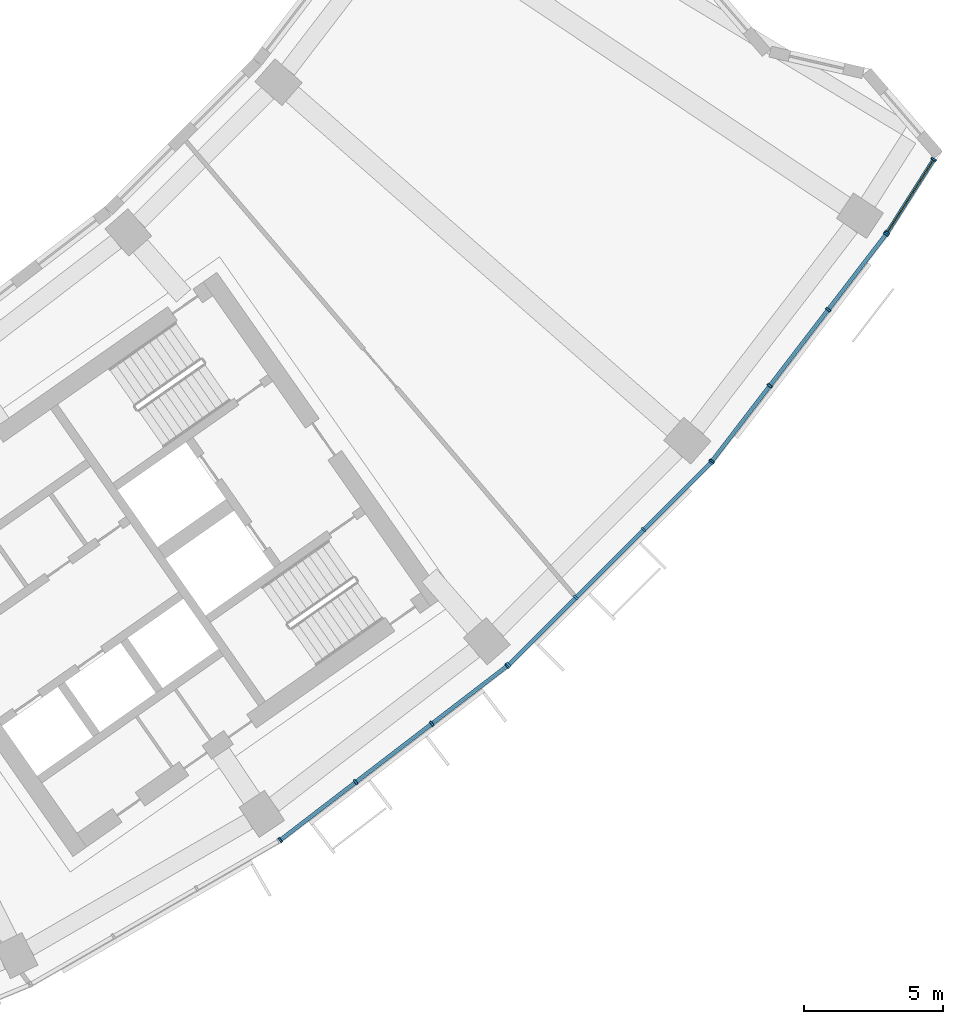
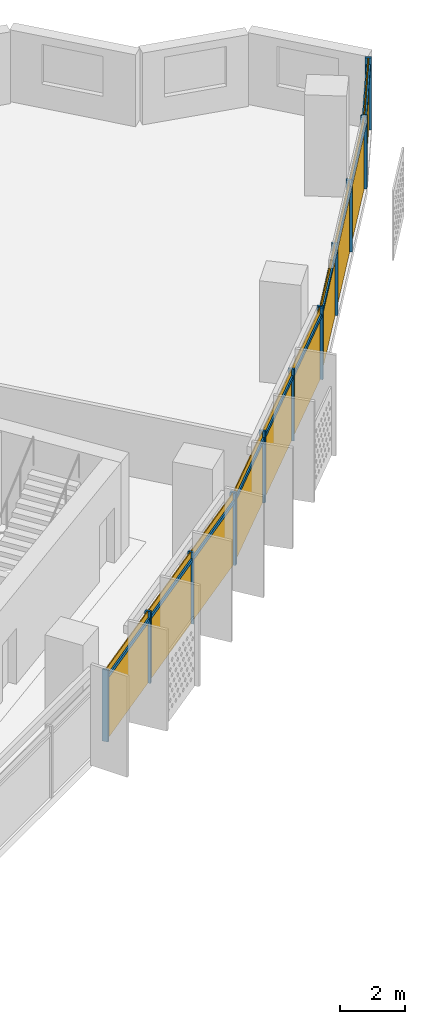
# One storey, part 20 of 27: 24 members, 4 curtain walls.
"""IFC4 building model written with IfcOpenShell, lengths in metres."""

from ifc_helpers import new_model, si_unit, direction, frame, origin, origin_2d, place, context, subcontext, project, spatial, rectangle, extrude, material, material_profile, profile_set, type_object, element, aggregate, save


model = new_model("IFC4")

# Units and contexts
model_context = context("Model", 3, precision=1e-05, world=origin(), true_north=direction((0.0, 1.0)))
body_context = subcontext(model_context, "Body", "Model", "MODEL_VIEW")
ifc_project = project(units=[si_unit("LENGTHUNIT", "METRE"), si_unit("AREAUNIT", "SQUARE_METRE"), si_unit("VOLUMEUNIT", "CUBIC_METRE"), si_unit("PLANEANGLEUNIT", "RADIAN"), si_unit("MASSUNIT", "GRAM", prefix="KILO")], contexts=[model_context])

# Member
ifc_material = material(Name="Aluminium 6063-T6 anodised", Category="aluminium")
ifc_material_profile_1 = material_profile(ifc_material, rectangle(XDim=0.199951171875, YDim=0.070068359375, at=origin_2d()))
ifc_profile_set_1 = profile_set([ifc_material_profile_1], Name="Aluminium 6063-T6 anodised")
member_type_1 = type_object("IfcMemberType", Name="Mullion 70 x 200 aluminium", PredefinedType="MULLION", material=ifc_profile_set_1)
site_placement = place(None, origin())
building_placement = place(site_placement, origin())
storey_placement = place(building_placement, frame((0.0, 0.0, 191.10009765625)))
member_1_placement = place(storey_placement, frame((43.85693359375, -65.58544921875, 0.0), z_axis=(0.0, 0.0, 1.0), x_axis=(-0.608761429009, 0.793353340291, 0.0)))
member_1 = element("IfcMember", 1, at=member_1_placement, type_object=member_type_1, Name="e-cw1-L45-out12/M00", PredefinedType="MULLION", context=body_context, shape_type="SweptSolid", body=[
    extrude(rectangle(XDim=0.199951171875, YDim=0.070068359375, at=origin_2d()), origin(), (0.0, 0.0, 1.0), 2.699951171875),
])

member_2_placement = place(storey_placement, frame((46.56201171875, -63.509765625, 0.0), z_axis=(0.0, 0.0, 1.0), x_axis=(-0.608761429009, 0.793353340291, 0.0)))
member_2 = element("IfcMember", 2, at=member_2_placement, type_object=member_type_1, Name="e-cw1-L45-out12/M01", PredefinedType="MULLION", context=body_context, shape_type="SweptSolid", body=[
    extrude(rectangle(XDim=0.199951171875, YDim=0.070068359375, at=origin_2d()), origin(), (0.0, 0.0, 1.0), 2.699951171875),
])

member_3_placement = place(storey_placement, frame((49.294677734375, -61.412841796875, 0.0), z_axis=(0.0, 0.0, 1.0), x_axis=(-0.608761429009, 0.793353340291, 0.0)))
member_3 = element("IfcMember", 3, at=member_3_placement, type_object=member_type_1, Name="e-cw1-L45-out12/M02", PredefinedType="MULLION", context=body_context, shape_type="SweptSolid", body=[
    extrude(rectangle(XDim=0.199951171875, YDim=0.070068359375, at=origin_2d()), origin(), (0.0, 0.0, 1.0), 2.699951171875),
])

member_4_placement = place(storey_placement, frame((51.999755859375, -59.33740234375, 0.0), z_axis=(0.0, 0.0, 1.0), x_axis=(-0.608761429009, 0.793353340291, 0.0)))
member_4 = element("IfcMember", 4, at=member_4_placement, type_object=member_type_1, Name="e-cw1-L45-out12/M03", PredefinedType="MULLION", context=body_context, shape_type="SweptSolid", body=[
    extrude(rectangle(XDim=0.199951171875, YDim=0.070068359375, at=origin_2d()), origin(), (0.0, 0.0, 1.0), 2.699951171875),
])

member_5_placement = place(storey_placement, frame((52.042236328125, -59.2998046875, 0.0), z_axis=(0.0, 0.0, 1.0), x_axis=(-0.707106781187, 0.707106781187, 0.0)))
member_5 = element("IfcMember", 5, at=member_5_placement, type_object=member_type_1, Name="e-cw1-L45-out13/M00", PredefinedType="MULLION", context=body_context, shape_type="SweptSolid", body=[
    extrude(rectangle(XDim=0.199951171875, YDim=0.070068359375, at=origin_2d()), origin(), (0.0, 0.0, 1.0), 2.699951171875),
])

member_6_placement = place(storey_placement, frame((54.453369140625, -56.888916015625, 0.0), z_axis=(0.0, 0.0, 1.0), x_axis=(-0.707106781187, 0.707106781187, 0.0)))
member_6 = element("IfcMember", 6, at=member_6_placement, type_object=member_type_1, Name="e-cw1-L45-out13/M01", PredefinedType="MULLION", context=body_context, shape_type="SweptSolid", body=[
    extrude(rectangle(XDim=0.199951171875, YDim=0.070068359375, at=origin_2d()), origin(), (0.0, 0.0, 1.0), 2.699951171875),
])

member_7_placement = place(storey_placement, frame((56.888916015625, -54.453369140625, 0.0), z_axis=(0.0, 0.0, 1.0), x_axis=(-0.707106781187, 0.707106781187, 0.0)))
member_7 = element("IfcMember", 7, at=member_7_placement, type_object=member_type_1, Name="e-cw1-L45-out13/M02", PredefinedType="MULLION", context=body_context, shape_type="SweptSolid", body=[
    extrude(rectangle(XDim=0.199951171875, YDim=0.070068359375, at=origin_2d()), origin(), (0.0, 0.0, 1.0), 2.699951171875),
])

member_8_placement = place(storey_placement, frame((59.2998046875, -52.042236328125, 0.0), z_axis=(0.0, 0.0, 1.0), x_axis=(-0.707106781187, 0.707106781187, 0.0)))
member_8 = element("IfcMember", 8, at=member_8_placement, type_object=member_type_1, Name="e-cw1-L45-out13/M03", PredefinedType="MULLION", context=body_context, shape_type="SweptSolid", body=[
    extrude(rectangle(XDim=0.199951171875, YDim=0.070068359375, at=origin_2d()), origin(), (0.0, 0.0, 1.0), 2.699951171875),
])

member_9_placement = place(storey_placement, frame((59.33740234375, -51.999755859375, 0.0), z_axis=(0.0, 0.0, 1.0), x_axis=(-0.793353340291, 0.608761429009, 0.0)))
member_9 = element("IfcMember", 9, at=member_9_placement, type_object=member_type_1, Name="e-cw1-L45-out14/M00", PredefinedType="MULLION", context=body_context, shape_type="SweptSolid", body=[
    extrude(rectangle(XDim=0.199951171875, YDim=0.070068359375, at=origin_2d()), origin(), (0.0, 0.0, 1.0), 2.699951171875),
])

member_10_placement = place(storey_placement, frame((61.412841796875, -49.294677734375, 0.0), z_axis=(0.0, 0.0, 1.0), x_axis=(-0.793353340291, 0.608761429009, 0.0)))
member_10 = element("IfcMember", 10, at=member_10_placement, type_object=member_type_1, Name="e-cw1-L45-out14/M01", PredefinedType="MULLION", context=body_context, shape_type="SweptSolid", body=[
    extrude(rectangle(XDim=0.199951171875, YDim=0.070068359375, at=origin_2d()), origin(), (0.0, 0.0, 1.0), 2.699951171875),
])

member_11_placement = place(storey_placement, frame((63.509765625, -46.56201171875, 0.0), z_axis=(0.0, 0.0, 1.0), x_axis=(-0.793353340291, 0.608761429009, 0.0)))
member_11 = element("IfcMember", 11, at=member_11_placement, type_object=member_type_1, Name="e-cw1-L45-out14/M02", PredefinedType="MULLION", context=body_context, shape_type="SweptSolid", body=[
    extrude(rectangle(XDim=0.199951171875, YDim=0.070068359375, at=origin_2d()), origin(), (0.0, 0.0, 1.0), 2.699951171875),
])

member_12_placement = place(storey_placement, frame((65.58544921875, -43.85693359375, 0.0), z_axis=(0.0, 0.0, 1.0), x_axis=(-0.793353340291, 0.608761429009, 0.0)))
member_12 = element("IfcMember", 12, at=member_12_placement, type_object=member_type_1, Name="e-cw1-L45-out14/M03", PredefinedType="MULLION", context=body_context, shape_type="SweptSolid", body=[
    extrude(rectangle(XDim=0.199951171875, YDim=0.070068359375, at=origin_2d()), origin(), (0.0, 0.0, 1.0), 2.699951171875),
])

member_13_placement = place(storey_placement, frame((65.62060546875, -43.806884765625, 0.0), z_axis=(0.0, 0.0, 1.0), x_axis=(-0.84381442189, 0.536635091482, 0.0)))
member_13 = element("IfcMember", 13, at=member_13_placement, type_object=member_type_1, Name="e-cw1-L45-out15/M00", PredefinedType="MULLION", context=body_context, shape_type="SweptSolid", body=[
    extrude(rectangle(XDim=0.199951171875, YDim=0.070068359375, at=origin_2d()), origin(), (0.0, 0.0, 1.0), 2.699951171875),
])

member_14_placement = place(storey_placement, frame((67.292724609375, -41.177490234375, 0.0), z_axis=(0.0, 0.0, 1.0), x_axis=(-0.84381442189, 0.536635091482, 0.0)))
member_14 = element("IfcMember", 14, at=member_14_placement, type_object=member_type_1, Name="e-cw1-L45-out15/M01", PredefinedType="MULLION", context=body_context, shape_type="SweptSolid", body=[
    extrude(rectangle(XDim=0.199951171875, YDim=0.070068359375, at=origin_2d()), origin(), (0.0, 0.0, 1.0), 2.699951171875),
])

ifc_material_profile_2 = material_profile(ifc_material, rectangle(XDim=0.139892578125, YDim=0.1201171875, at=origin_2d()))
ifc_profile_set_2 = profile_set([ifc_material_profile_2], Name="Aluminium 6063-T6 anodised")
member_type_2 = type_object("IfcMemberType", Name="Transom 120 x 140 aluminium", PredefinedType="USERDEFINED", material=ifc_profile_set_2)
member_15_placement = place(storey_placement, frame((43.884765625, -65.564208984375, 2.39990234375), z_axis=(0.793354486861, 0.608759934767, 0.0), x_axis=(-0.608759934767, 0.793354486861, 0.0)))
member_15 = element("IfcMember", 15, at=member_15_placement, type_object=member_type_2, Name="e-cw1-L45-out12/T00", ObjectType="TRANSOM", PredefinedType="USERDEFINED", context=body_context, shape_type="SweptSolid", body=[
    extrude(rectangle(XDim=0.139892578125, YDim=0.1201171875, at=origin_2d()), origin(), (0.0, 0.0, 1.0), 3.339599609375),
])

member_16_placement = place(storey_placement, frame((46.589599609375, -63.488525390625, 2.39990234375), z_axis=(0.793371081522, 0.608738307489, 0.0), x_axis=(-0.608738307489, 0.793371081522, 0.0)))
member_16 = element("IfcMember", 16, at=member_16_placement, type_object=member_type_2, Name="e-cw1-L45-out12/T01", ObjectType="TRANSOM", PredefinedType="USERDEFINED", context=body_context, shape_type="SweptSolid", body=[
    extrude(rectangle(XDim=0.139892578125, YDim=0.1201171875, at=origin_2d()), origin(), (0.0, 0.0, 1.0), 3.37451171875),
])

member_17_placement = place(storey_placement, frame((49.322509765625, -61.3916015625, 2.39990234375), z_axis=(0.793354486861, 0.608759934767, 0.0), x_axis=(-0.608759934767, 0.793354486861, 0.0)))
member_17 = element("IfcMember", 17, at=member_17_placement, type_object=member_type_2, Name="e-cw1-L45-out12/T02", ObjectType="TRANSOM", PredefinedType="USERDEFINED", context=body_context, shape_type="SweptSolid", body=[
    extrude(rectangle(XDim=0.139892578125, YDim=0.1201171875, at=origin_2d()), origin(), (0.0, 0.0, 1.0), 3.339599609375),
])

member_18_placement = place(storey_placement, frame((52.067138671875, -59.275146484375, 2.39990234375), z_axis=(0.707106781187, 0.707106781187, 0.0), x_axis=(-0.707106781187, 0.707106781187, 0.0)))
member_18 = element("IfcMember", 18, at=member_18_placement, type_object=member_type_2, Name="e-cw1-L45-out13/T00", ObjectType="TRANSOM", PredefinedType="USERDEFINED", context=body_context, shape_type="SweptSolid", body=[
    extrude(rectangle(XDim=0.139892578125, YDim=0.1201171875, at=origin_2d()), origin(), (0.0, 0.0, 1.0), 3.33935546875),
])

member_19_placement = place(storey_placement, frame((54.47802734375, -56.8642578125, 2.39990234375), z_axis=(0.707106781187, 0.707106781187, 0.0), x_axis=(-0.707106781187, 0.707106781187, 0.0)))
member_19 = element("IfcMember", 19, at=member_19_placement, type_object=member_type_2, Name="e-cw1-L45-out13/T01", ObjectType="TRANSOM", PredefinedType="USERDEFINED", context=body_context, shape_type="SweptSolid", body=[
    extrude(rectangle(XDim=0.139892578125, YDim=0.1201171875, at=origin_2d()), origin(), (0.0, 0.0, 1.0), 3.374755859375),
])

member_20_placement = place(storey_placement, frame((56.913818359375, -54.428466796875, 2.39990234375), z_axis=(0.707106781187, 0.707106781187, 0.0), x_axis=(-0.707106781187, 0.707106781187, 0.0)))
member_20 = element("IfcMember", 20, at=member_20_placement, type_object=member_type_2, Name="e-cw1-L45-out13/T02", ObjectType="TRANSOM", PredefinedType="USERDEFINED", context=body_context, shape_type="SweptSolid", body=[
    extrude(rectangle(XDim=0.139892578125, YDim=0.1201171875, at=origin_2d()), origin(), (0.0, 0.0, 1.0), 3.33935546875),
])

member_21_placement = place(storey_placement, frame((59.358642578125, -51.971923828125, 2.39990234375), z_axis=(0.608759934767, 0.793354486861, 0.0), x_axis=(-0.793354486861, 0.608759934767, 0.0)))
member_21 = element("IfcMember", 21, at=member_21_placement, type_object=member_type_2, Name="e-cw1-L45-out14/T00", ObjectType="TRANSOM", PredefinedType="USERDEFINED", context=body_context, shape_type="SweptSolid", body=[
    extrude(rectangle(XDim=0.139892578125, YDim=0.1201171875, at=origin_2d()), origin(), (0.0, 0.0, 1.0), 3.339599609375),
])

member_22_placement = place(storey_placement, frame((61.434326171875, -49.266845703125, 2.39990234375), z_axis=(0.608738307489, 0.793371081522, 0.0), x_axis=(-0.793371081522, 0.608738307489, 0.0)))
member_22 = element("IfcMember", 22, at=member_22_placement, type_object=member_type_2, Name="e-cw1-L45-out14/T01", ObjectType="TRANSOM", PredefinedType="USERDEFINED", context=body_context, shape_type="SweptSolid", body=[
    extrude(rectangle(XDim=0.139892578125, YDim=0.1201171875, at=origin_2d()), origin(), (0.0, 0.0, 1.0), 3.37451171875),
])

member_23_placement = place(storey_placement, frame((63.53125, -46.5341796875, 2.39990234375), z_axis=(0.608759934767, 0.793354486861, 0.0), x_axis=(-0.793354486861, 0.608759934767, 0.0)))
member_23 = element("IfcMember", 23, at=member_23_placement, type_object=member_type_2, Name="e-cw1-L45-out14/T02", ObjectType="TRANSOM", PredefinedType="USERDEFINED", context=body_context, shape_type="SweptSolid", body=[
    extrude(rectangle(XDim=0.139892578125, YDim=0.1201171875, at=origin_2d()), origin(), (0.0, 0.0, 1.0), 3.339599609375),
])

member_24_placement = place(storey_placement, frame((65.639404296875, -43.77734375, 2.39990234375), z_axis=(0.536574676416, 0.843852840624, 0.0), x_axis=(-0.843852840624, 0.536574676416, 0.0)))
member_24 = element("IfcMember", 24, at=member_24_placement, type_object=member_type_2, Name="e-cw1-L45-out15/T00", ObjectType="TRANSOM", PredefinedType="USERDEFINED", context=body_context, shape_type="SweptSolid", body=[
    extrude(rectangle(XDim=0.139892578125, YDim=0.1201171875, at=origin_2d()), origin(), (0.0, 0.0, 1.0), 3.046142578125),
])

# Site, building, storey
site = spatial("IfcSite", under=ifc_project, at=site_placement, CompositionType="ELEMENT")
building = spatial("IfcBuilding", under=site, at=building_placement, Name="Qamariyya Broadcast Tower", CompositionType="ELEMENT")
storey = spatial("IfcBuildingStorey", under=building, at=storey_placement, Name="L45", CompositionType="ELEMENT", Elevation=191.10009765625)

# Curtain wall
curtain_wall_type = type_object("IfcCurtainWallType", Name="Unitised curtain wall, anodised aluminium", PredefinedType="NOTDEFINED", material=ifc_material)
curtain_wall_1_placement = place(storey_placement, origin())
curtain_wall_1 = element("IfcCurtainWall", 25, at=curtain_wall_1_placement, inside=storey, type_object=curtain_wall_type, Name="e-cw1-L45-out12", PredefinedType="NOTDEFINED", context=body_context, shape_type="SweptSolid", body=[
    extrude(rectangle(XDim=3.339599609375, YDim=0.031982421875, at=origin_2d()), frame((45.20947265625, -64.547607421875, 0.0), x_axis=(0.793351517557, 0.608763804434, 0.0)), (0.0, 0.0, 1.0), 2.340087890625),
    extrude(rectangle(XDim=3.339599609375, YDim=0.031982421875, at=origin_2d()), frame((45.20947265625, -64.547607421875, 2.4599609375), x_axis=(0.793351517557, 0.608763804434, 0.0)), (0.0, 0.0, 1.0), 0.239990234375),
    extrude(rectangle(XDim=3.37451171875, YDim=0.031982421875, at=origin_2d()), frame((47.92822265625, -62.46142578125, 0.0), x_axis=(0.793351517557, 0.608763804434, 0.0)), (0.0, 0.0, 1.0), 2.340087890625),
    extrude(rectangle(XDim=3.37451171875, YDim=0.031982421875, at=origin_2d()), frame((47.92822265625, -62.46142578125, 2.4599609375), x_axis=(0.793351517557, 0.608763804434, 0.0)), (0.0, 0.0, 1.0), 0.239990234375),
    extrude(rectangle(XDim=3.339599609375, YDim=0.031982421875, at=origin_2d()), frame((50.64697265625, -60.375, 0.0), x_axis=(0.793351517557, 0.608763804434, 0.0)), (0.0, 0.0, 1.0), 2.340087890625),
    extrude(rectangle(XDim=3.339599609375, YDim=0.031982421875, at=origin_2d()), frame((50.64697265625, -60.375, 2.4599609375), x_axis=(0.793351517557, 0.608763804434, 0.0)), (0.0, 0.0, 1.0), 0.239990234375),
])

aggregate(curtain_wall_1, [member_1, member_2, member_3, member_4, member_15, member_16, member_17])

curtain_wall_2_placement = place(storey_placement, origin())
curtain_wall_2 = element("IfcCurtainWall", 26, at=curtain_wall_2_placement, inside=storey, type_object=curtain_wall_type, Name="e-cw1-L45-out13", PredefinedType="NOTDEFINED", context=body_context, shape_type="SweptSolid", body=[
    extrude(rectangle(XDim=3.339599609375, YDim=0.031982421875, at=origin_2d()), frame((53.247802734375, -58.094482421875, 0.0), x_axis=(0.707106781187, 0.707106781187, 0.0)), (0.0, 0.0, 1.0), 2.340087890625),
    extrude(rectangle(XDim=3.339599609375, YDim=0.031982421875, at=origin_2d()), frame((53.247802734375, -58.094482421875, 2.4599609375), x_axis=(0.707106781187, 0.707106781187, 0.0)), (0.0, 0.0, 1.0), 0.239990234375),
    extrude(rectangle(XDim=3.37451171875, YDim=0.031982421875, at=origin_2d()), frame((55.671142578125, -55.671142578125, 0.0), x_axis=(0.707106781187, 0.707106781187, 0.0)), (0.0, 0.0, 1.0), 2.340087890625),
    extrude(rectangle(XDim=3.37451171875, YDim=0.031982421875, at=origin_2d()), frame((55.671142578125, -55.671142578125, 2.4599609375), x_axis=(0.707106781187, 0.707106781187, 0.0)), (0.0, 0.0, 1.0), 0.239990234375),
    extrude(rectangle(XDim=3.339599609375, YDim=0.031982421875, at=origin_2d()), frame((58.094482421875, -53.247802734375, 0.0), x_axis=(0.707106781187, 0.707106781187, 0.0)), (0.0, 0.0, 1.0), 2.340087890625),
    extrude(rectangle(XDim=3.339599609375, YDim=0.031982421875, at=origin_2d()), frame((58.094482421875, -53.247802734375, 2.4599609375), x_axis=(0.707106781187, 0.707106781187, 0.0)), (0.0, 0.0, 1.0), 0.239990234375),
])

aggregate(curtain_wall_2, [member_5, member_6, member_7, member_8, member_18, member_19, member_20])

curtain_wall_3_placement = place(storey_placement, origin())
curtain_wall_3 = element("IfcCurtainWall", 27, at=curtain_wall_3_placement, inside=storey, type_object=curtain_wall_type, Name="e-cw1-L45-out14", PredefinedType="NOTDEFINED", context=body_context, shape_type="SweptSolid", body=[
    extrude(rectangle(XDim=3.339599609375, YDim=0.031982421875, at=origin_2d()), frame((60.375, -50.64697265625, 0.0), x_axis=(0.608763804434, 0.793351517557, 0.0)), (0.0, 0.0, 1.0), 2.340087890625),
    extrude(rectangle(XDim=3.339599609375, YDim=0.031982421875, at=origin_2d()), frame((60.375, -50.64697265625, 2.4599609375), x_axis=(0.608763804434, 0.793351517557, 0.0)), (0.0, 0.0, 1.0), 0.239990234375),
    extrude(rectangle(XDim=3.37451171875, YDim=0.031982421875, at=origin_2d()), frame((62.46142578125, -47.92822265625, 0.0), x_axis=(0.608763804434, 0.793351517557, 0.0)), (0.0, 0.0, 1.0), 2.340087890625),
    extrude(rectangle(XDim=3.37451171875, YDim=0.031982421875, at=origin_2d()), frame((62.46142578125, -47.92822265625, 2.4599609375), x_axis=(0.608763804434, 0.793351517557, 0.0)), (0.0, 0.0, 1.0), 0.239990234375),
    extrude(rectangle(XDim=3.339599609375, YDim=0.031982421875, at=origin_2d()), frame((64.547607421875, -45.20947265625, 0.0), x_axis=(0.608763804434, 0.793351517557, 0.0)), (0.0, 0.0, 1.0), 2.340087890625),
    extrude(rectangle(XDim=3.339599609375, YDim=0.031982421875, at=origin_2d()), frame((64.547607421875, -45.20947265625, 2.4599609375), x_axis=(0.608763804434, 0.793351517557, 0.0)), (0.0, 0.0, 1.0), 0.239990234375),
])

aggregate(curtain_wall_3, [member_9, member_10, member_11, member_12, member_21, member_22, member_23])

curtain_wall_4_placement = place(storey_placement, origin())
curtain_wall_4 = element("IfcCurtainWall", 28, at=curtain_wall_4_placement, inside=storey, type_object=curtain_wall_type, Name="e-cw1-L45-out15", PredefinedType="NOTDEFINED", context=body_context, shape_type="SweptSolid", body=[
    extrude(rectangle(XDim=3.046142578125, YDim=0.031982421875, at=origin_2d()), frame((66.45654296875, -42.4921875, 0.0), x_axis=(0.536622597226, 0.84382236765, 0.0)), (0.0, 0.0, 1.0), 2.340087890625),
    extrude(rectangle(XDim=3.046142578125, YDim=0.031982421875, at=origin_2d()), frame((66.45654296875, -42.4921875, 2.4599609375), x_axis=(0.536622597226, 0.84382236765, 0.0)), (0.0, 0.0, 1.0), 0.239990234375),
])

aggregate(curtain_wall_4, [member_13, member_14, member_24])

save(model, "model.ifc")
